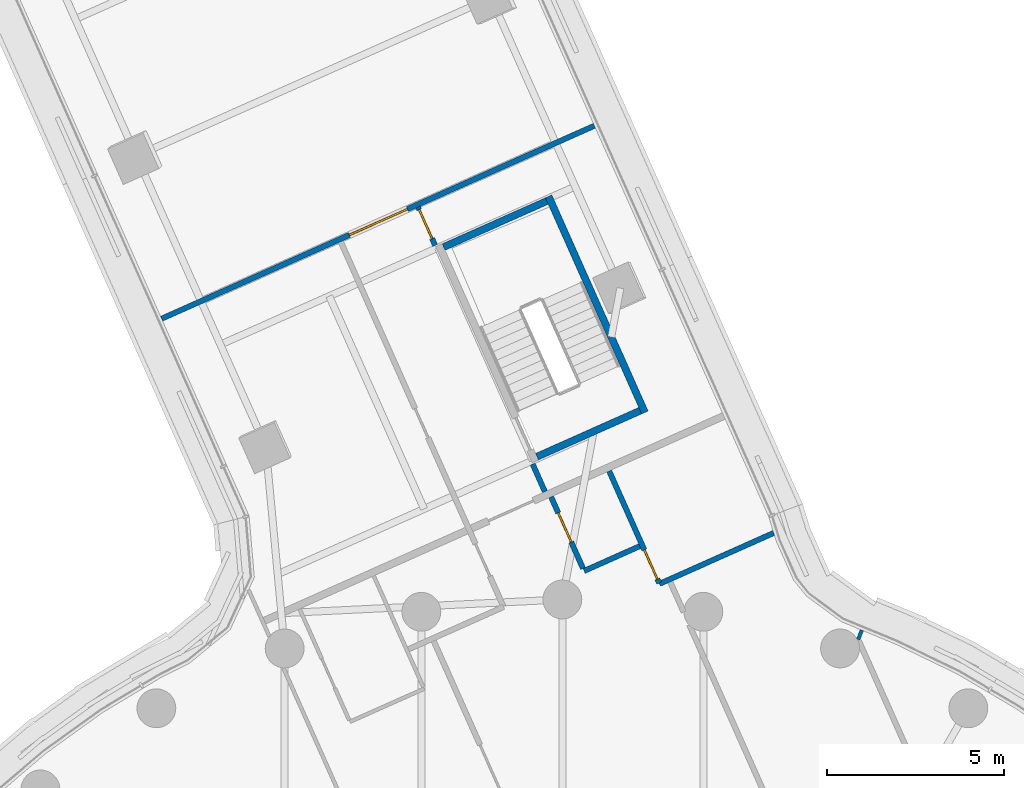
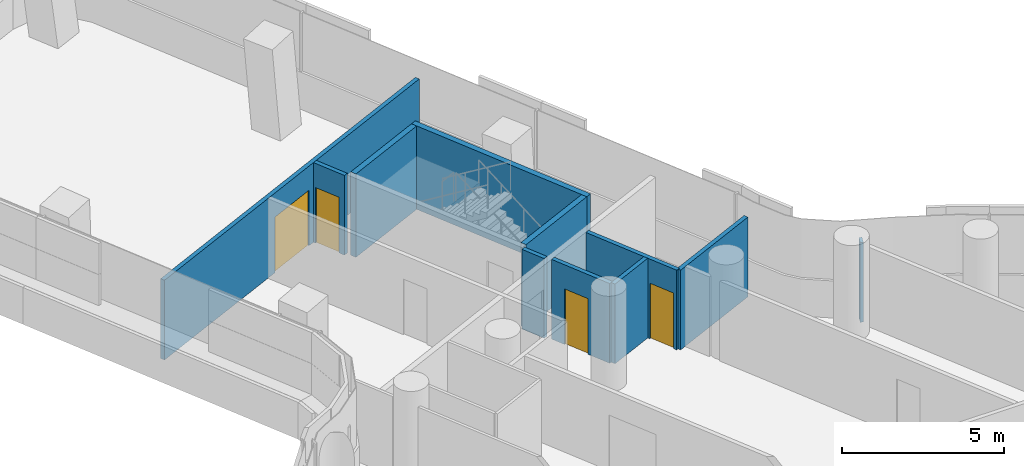
# One storey, part 26 of 35: 11 walls, 4 doors, 4 openings.
"""IFC4 building model written with IfcOpenShell, lengths in metres."""

from ifc_helpers import new_model, si_unit, direction, frame, frame_2d, origin, place, context, subcontext, project, spatial, polyline, rectangle, outline, extrude, material, layer, layer_set, type_object, element, fill, save


model = new_model("IFC4")

# Units and contexts
model_context = context("Model", 3, precision=1e-05, world=origin(), true_north=direction((0.0, 1.0)))
body_context = subcontext(model_context, "Body", "Model", "MODEL_VIEW")
ifc_project = project(units=[si_unit("LENGTHUNIT", "METRE"), si_unit("AREAUNIT", "SQUARE_METRE"), si_unit("VOLUMEUNIT", "CUBIC_METRE"), si_unit("PLANEANGLEUNIT", "RADIAN"), si_unit("MASSUNIT", "GRAM", prefix="KILO")], contexts=[model_context])

# Site, building, storey
site_placement = place(None, origin())
site = spatial("IfcSite", under=ifc_project, at=site_placement, CompositionType="ELEMENT")
building_placement = place(site_placement, origin())
building = spatial("IfcBuilding", under=site, at=building_placement, Name="Tamarind Cross Interchange Tower", CompositionType="ELEMENT")
storey_placement = place(building_placement, frame((0.0, 0.0, 121.0)))
storey = spatial("IfcBuildingStorey", under=building, at=storey_placement, Name="L29", CompositionType="ELEMENT", Elevation=121.0)

# Wall
ifc_material_1 = material(Name="Gypsum board partition on steel studs", Category="steel")
ifc_layer_1 = layer(ifc_material_1, 0.10009765625)
ifc_layer_set_1 = layer_set([ifc_layer_1], Name="Gypsum board partition on steel studs")
wall_type_1 = type_object("IfcWallType", Name="Partition 100 mm EI 90", PredefinedType="PARTITIONING", material=ifc_layer_set_1)
wall_1_placement = place(storey_placement, frame((8.381103515625, 21.866943359375, 0.0), z_axis=(0.0, 0.0, 1.0), x_axis=(0.355671431092, 0.934611059803, 0.0)))
element("IfcWall", 1, at=wall_1_placement, inside=storey, type_object=wall_type_1, Name="Partition L29-079", PredefinedType="PARTITIONING", context=body_context, shape_type="SweptSolid", body=[
    extrude(rectangle(XDim=0.2822265625, YDim=0.10009765625, at=frame_2d((0.14111328125, 0.0))), origin(), (0.0, 0.0, 1.0), 3.010009765625),
])

# Wall, opening, door
ifc_layer_2 = layer(ifc_material_1, 0.14990234375)
ifc_layer_set_2 = layer_set([ifc_layer_2], Name="Gypsum board partition on steel studs")
wall_type_2 = type_object("IfcWallType", Name="Partition 150 mm EI 120", PredefinedType="PARTITIONING", material=ifc_layer_set_2)
wall_2_placement = place(storey_placement, frame((-4.08544921875, 34.110595703125, 0.0), z_axis=(0.0, 0.0, 1.0), x_axis=(0.407208939913, -0.913335031221, 0.0)))
wall_2 = element("IfcWall", 2, at=wall_2_placement, inside=storey, type_object=wall_type_2, Name="Partition L29-018", PredefinedType="PARTITIONING", context=body_context, shape_type="SweptSolid", body=[
    extrude(rectangle(XDim=1.184814453125, YDim=0.14990234375, at=frame_2d((0.59228515625, 0.0))), origin(), (0.0, 0.0, 1.0), 3.010009765625),
])
opening_1_placement = place(wall_2_placement, frame((0.074951171875, 0.0, 0.0)))
opening_1 = element("IfcOpeningElement", 3, at=opening_1_placement, cuts=wall_2, Name="Opening D07", PredefinedType="OPENING", context=body_context, shape_type="SweptSolid", body=[
    extrude(rectangle(XDim=0.89990234375, YDim=2.10009765625, at=frame_2d((0.449951171875, 1.050048828125))), frame((0.0, 0.0849609375, 0.0), z_axis=(0.0, -1.0, 0.0), x_axis=(1.0, 0.0, 0.0)), (0.0, 0.0, 1.0), 0.169921875),
])
ifc_material_2 = material(Name="Fire-resisting door set")
door_type_1 = type_object("IfcDoorType", Name="Interior door 900 x 2100 FD60S", OperationType="SINGLE_SWING_LEFT", PredefinedType="DOOR", material=ifc_material_2)
door_1_placement = place(opening_1_placement, origin())
door_1 = element("IfcDoor", 4, at=door_1_placement, inside=storey, type_object=door_type_1, Name="Door D07", OperationType="SINGLE_SWING_RIGHT", OverallHeight=2.10009765625, OverallWidth=0.89990234375, PredefinedType="DOOR", context=body_context, shape_type="SweptSolid", body=[
    extrude(rectangle(XDim=0.89990234375, YDim=2.10009765625, at=frame_2d((0.449951171875, 1.050048828125))), frame((0.0, 0.02490234375, 0.0), z_axis=(0.0, -1.0, 0.0), x_axis=(1.0, 0.0, 0.0)), (0.0, 0.0, 1.0), 0.050048828125),
])
fill(opening_1, door_1)

# Wall
wall_3_placement = place(storey_placement, frame((-0.84228515625, 26.83642578125, 0.0), z_axis=(0.0, 0.0, 1.0), x_axis=(0.407170701745, -0.913352078686, 0.0)))
element("IfcWall", 5, at=wall_3_placement, inside=storey, type_object=wall_type_2, Name="Partition L29-019", PredefinedType="PARTITIONING", context=body_context, shape_type="SweptSolid", body=[
    extrude(rectangle(XDim=0.855712890625, YDim=0.14990234375, at=frame_2d((0.427734375, 0.0))), origin(), (0.0, 0.0, 1.0), 3.010009765625),
])

# Wall, opening, door
wall_4_placement = place(storey_placement, frame((-0.3173828125, 25.904052734375, 0.0), z_axis=(0.0, 0.0, 1.0), x_axis=(0.407138228208, -0.913366554638, 0.0)))
wall_4 = element("IfcWall", 6, at=wall_4_placement, inside=storey, type_object=wall_type_2, Name="Partition L29-023", PredefinedType="PARTITIONING", context=body_context, shape_type="SweptSolid", body=[
    extrude(rectangle(XDim=2.219970703125, YDim=0.14990234375, at=frame_2d((1.10986328125, 0.0))), origin(), (0.0, 0.0, 1.0), 3.010009765625),
])
opening_2_placement = place(wall_4_placement, frame((0.4951171875, 0.0, 0.0)))
opening_2 = element("IfcOpeningElement", 7, at=opening_2_placement, cuts=wall_4, Name="Opening D10", PredefinedType="OPENING", context=body_context, shape_type="SweptSolid", body=[
    extrude(rectangle(XDim=0.89990234375, YDim=2.10009765625, at=frame_2d((0.449951171875, 1.050048828125))), frame((0.0, 0.0849609375, 0.0), z_axis=(0.0, -1.0, 0.0), x_axis=(1.0, 0.0, 0.0)), (0.0, 0.0, 1.0), 0.169921875),
])
door_2_placement = place(opening_2_placement, origin())
door_2 = element("IfcDoor", 8, at=door_2_placement, inside=storey, type_object=door_type_1, Name="Door D10", OperationType="SINGLE_SWING_RIGHT", OverallHeight=2.10009765625, OverallWidth=0.89990234375, PredefinedType="DOOR", context=body_context, shape_type="SweptSolid", body=[
    extrude(rectangle(XDim=0.89990234375, YDim=2.10009765625, at=frame_2d((0.449951171875, 1.050048828125))), frame((0.0, 0.02490234375, 0.0), z_axis=(0.0, -1.0, 0.0), x_axis=(1.0, 0.0, 0.0)), (0.0, 0.0, 1.0), 0.050048828125),
])
fill(opening_2, door_2)

wall_5_placement = place(storey_placement, frame((1.32666015625, 26.63720703125, 0.0), z_axis=(0.0, 0.0, 1.0), x_axis=(0.407122512132, -0.913373560005, 0.0)))
wall_5 = element("IfcWall", 9, at=wall_5_placement, inside=storey, type_object=wall_type_2, Name="Partition L29-026", PredefinedType="PARTITIONING", context=body_context, shape_type="SweptSolid", body=[
    extrude(rectangle(XDim=3.47509765625, YDim=0.14990234375, at=frame_2d((1.737548828125, 0.0))), origin(), (0.0, 0.0, 1.0), 3.010009765625),
])
opening_3_placement = place(wall_5_placement, frame((2.44482421875, 0.0, 0.0)))
opening_3 = element("IfcOpeningElement", 10, at=opening_3_placement, cuts=wall_5, Name="Opening D12", PredefinedType="OPENING", context=body_context, shape_type="SweptSolid", body=[
    extrude(rectangle(XDim=0.89990234375, YDim=2.10009765625, at=frame_2d((0.449951171875, 1.050048828125))), frame((0.0, 0.0849609375, 0.0), z_axis=(0.0, -1.0, 0.0), x_axis=(1.0, 0.0, 0.0)), (0.0, 0.0, 1.0), 0.169921875),
])
door_3_placement = place(opening_3_placement, origin())
door_3 = element("IfcDoor", 11, at=door_3_placement, inside=storey, type_object=door_type_1, Name="Door D12", OperationType="SINGLE_SWING_LEFT", OverallHeight=2.10009765625, OverallWidth=0.89990234375, PredefinedType="DOOR", context=body_context, shape_type="SweptSolid", body=[
    extrude(rectangle(XDim=0.89990234375, YDim=2.10009765625, at=frame_2d((0.449951171875, 1.050048828125))), frame((0.0, 0.02490234375, 0.0), z_axis=(0.0, -1.0, 0.0), x_axis=(1.0, 0.0, 0.0)), (0.0, 0.0, 1.0), 0.050048828125),
])
fill(opening_3, door_3)

wall_6_placement = place(storey_placement, frame((-11.3505859375, 30.95361328125, 0.0), z_axis=(0.0, 0.0, 1.0), x_axis=(0.913327764135, 0.407225238978, 0.0)))
wall_6 = element("IfcWall", 12, at=wall_6_placement, inside=storey, type_object=wall_type_2, Name="Partition L29-055", PredefinedType="PARTITIONING", context=body_context, shape_type="SweptSolid", body=[
    extrude(rectangle(XDim=13.419677734375, YDim=0.14990234375, at=frame_2d((6.7099609375, 0.0))), origin(), (0.0, 0.0, 1.0), 3.010009765625),
])
opening_4_placement = place(wall_6_placement, frame((5.8212890625, 0.0, 0.0)))
opening_4 = element("IfcOpeningElement", 13, at=opening_4_placement, cuts=wall_6, Name="Opening D30", PredefinedType="OPENING", context=body_context, shape_type="SweptSolid", body=[
    extrude(rectangle(XDim=1.800048828125, YDim=2.10009765625, at=frame_2d((0.89990234375, 1.050048828125))), frame((0.0, 0.0849609375, 0.0), z_axis=(0.0, -1.0, 0.0), x_axis=(1.0, 0.0, 0.0)), (0.0, 0.0, 1.0), 0.169921875),
])
door_type_2 = type_object("IfcDoorType", Name="Interior door 1800 x 2100 FD60S", OperationType="DOUBLE_DOOR_SINGLE_SWING", PredefinedType="DOOR", material=ifc_material_2)
door_4_placement = place(opening_4_placement, origin())
door_4 = element("IfcDoor", 14, at=door_4_placement, inside=storey, type_object=door_type_2, Name="Door D30", OperationType="DOUBLE_DOOR_SINGLE_SWING", OverallHeight=2.10009765625, OverallWidth=1.800048828125, PredefinedType="DOOR", context=body_context, shape_type="SweptSolid", body=[
    extrude(rectangle(XDim=1.800048828125, YDim=2.10009765625, at=frame_2d((0.89990234375, 1.050048828125))), frame((0.0, 0.02490234375, 0.0), z_axis=(0.0, -1.0, 0.0), x_axis=(1.0, 0.0, 0.0)), (0.0, 0.0, 1.0), 0.050048828125),
])
fill(opening_4, door_4)

# Walls
wall_7_placement = place(storey_placement, frame((2.751220703125, 23.442626953125, 0.0), z_axis=(0.0, 0.0, 1.0), x_axis=(0.913441516621, 0.4069700182, 0.0)))
element("IfcWall", 15, at=wall_7_placement, inside=storey, type_object=wall_type_2, Name="Partition L29-058", PredefinedType="PARTITIONING", context=body_context, shape_type="SweptSolid", body=[
    extrude(rectangle(XDim=3.54052734375, YDim=0.14990234375, at=frame_2d((1.770263671875, 0.0))), origin(), (0.0, 0.0, 1.0), 3.010009765625),
])
wall_8_placement = place(storey_placement, frame((0.616943359375, 23.80810546875, 0.0), z_axis=(0.0, 0.0, 1.0), x_axis=(0.913285522753, 0.407319965052, 0.0)))
element("IfcWall", 16, at=wall_8_placement, inside=storey, type_object=wall_type_2, Name="Partition L29-061", PredefinedType="PARTITIONING", context=body_context, shape_type="SweptSolid", body=[
    extrude(rectangle(XDim=1.72509765625, YDim=0.14990234375, at=frame_2d((0.862548828125, 0.0))), origin(), (0.0, 0.0, 1.0), 3.010009765625),
])
ifc_material_3 = material(Name="Concrete C40", Category="concrete")
ifc_layer_3 = layer(ifc_material_3, 0.199951171875)
ifc_layer_set_3 = layer_set([ifc_layer_3], Name="Concrete C40")
wall_type_3 = type_object("IfcWallType", Name="Stair shaft wall 200 mm Concrete C40", PredefinedType="SHEAR", material=ifc_layer_set_3)
wall_9_placement = place(storey_placement, frame((2.337890625, 28.2978515625, -0.139892578125), z_axis=(0.0, 0.0, 1.0), x_axis=(-0.407203178831, 0.913337599768, 0.0)))
element("IfcWall", 17, at=wall_9_placement, inside=storey, type_object=wall_type_3, Name="Core wall CWL-L29-ST4-C", PredefinedType="SHEAR", context=body_context, shape_type="SweptSolid", body=[
    extrude(rectangle(XDim=6.699951171875, YDim=0.199951171875, at=frame_2d((3.35009765625, 0.0))), origin(), (0.0, 0.0, 1.0), 3.14990234375),
])
wall_10_placement = place(storey_placement, frame((2.205810546875, 28.348388671875, -0.139892578125), z_axis=(0.0, 0.0, 1.0), x_axis=(-0.91334215068, -0.407192971195, 0.0)))
element("IfcWall", 18, at=wall_10_placement, inside=storey, type_object=wall_type_3, Name="Core wall CWL-L29-ST4-CE", PredefinedType="SHEAR", context=body_context, shape_type="SweptSolid", body=[
    extrude(rectangle(XDim=3.199951171875, YDim=0.199951171875, at=frame_2d((1.60009765625, 0.0))), origin(), (0.0, 0.0, 1.0), 3.14990234375),
])
wall_11_placement = place(storey_placement, frame((0.0, 0.0, -0.139892578125)))
element("IfcWall", 19, at=wall_11_placement, inside=storey, type_object=wall_type_3, Name="Core wall CWL-L29-ST4-CF", PredefinedType="SHEAR", context=body_context, shape_type="SweptSolid", body=[
    extrude(outline(polyline([(-0.400390625, 34.19384765625), (-0.481689453125, 34.37646484375), (-3.404296875, 33.073486328125), (-3.322998046875, 32.890625), (-0.400390625, 34.19384765625)])), origin(), (0.0, 0.0, 1.0), 3.14990234375),
])

save(model, "model.ifc")
